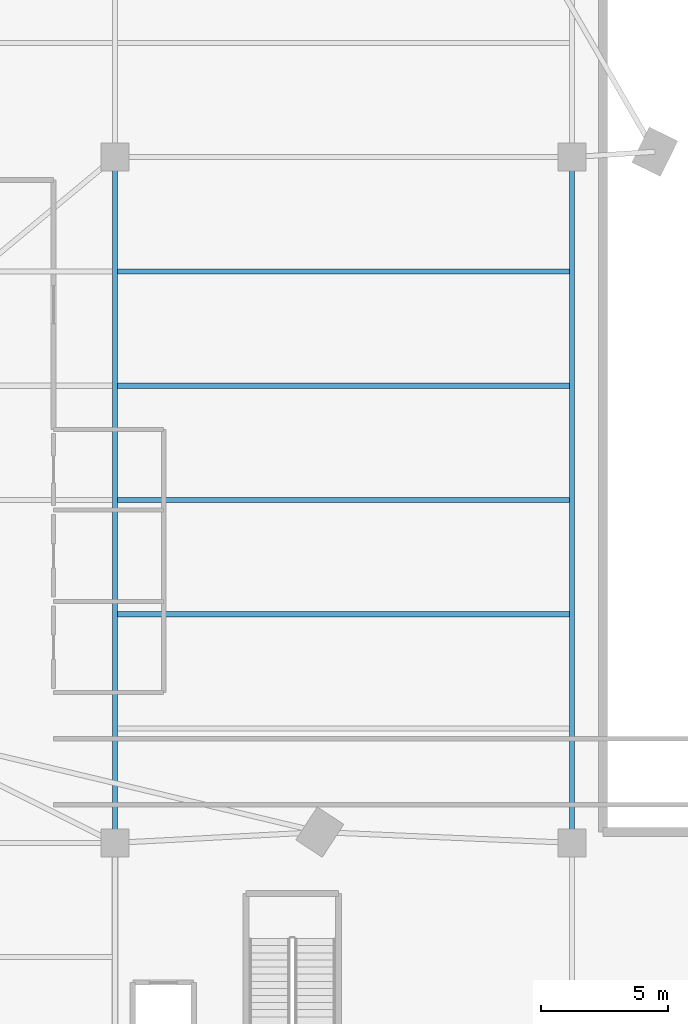
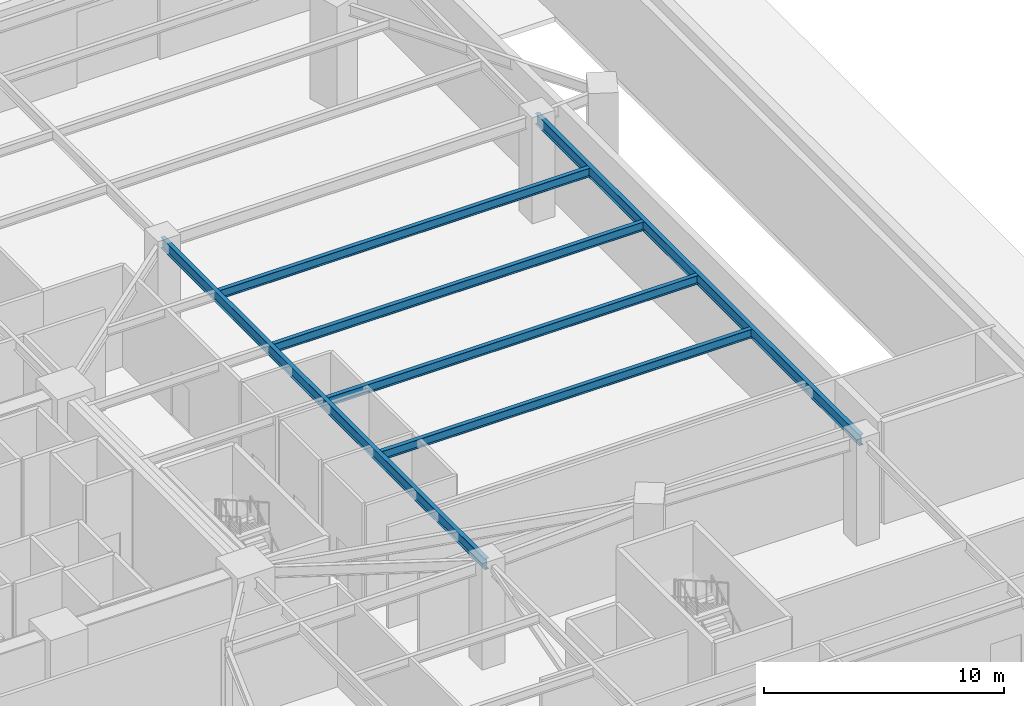
# One storey, part 12 of 30: 6 beams.
"""IFC4 building model written with IfcOpenShell, lengths in metres."""

from ifc_helpers import new_model, si_unit, direction, frame, origin, origin_2d, place, context, subcontext, project, spatial, i_section, extrude, source, transform, mapped, material, material_profile, profile_set, type_object, element, save


model = new_model("IFC4")

# Units and contexts
model_context = context("Model", 3, precision=1e-05, world=origin(), true_north=direction((0.0, 1.0)))
body_context = subcontext(model_context, "Body", "Model", "MODEL_VIEW")
ifc_project = project(units=[si_unit("LENGTHUNIT", "METRE"), si_unit("AREAUNIT", "SQUARE_METRE"), si_unit("VOLUMEUNIT", "CUBIC_METRE"), si_unit("PLANEANGLEUNIT", "RADIAN"), si_unit("MASSUNIT", "GRAM", prefix="KILO")], contexts=[model_context])

# Site, building, storey
site_placement = place(None, origin())
site = spatial("IfcSite", under=ifc_project, at=site_placement, CompositionType="ELEMENT")
building_placement = place(site_placement, origin())
building = spatial("IfcBuilding", under=site, at=building_placement, Name="Liaohun Quay Tower", CompositionType="ELEMENT")
storey_placement = place(building_placement, origin())
storey = spatial("IfcBuildingStorey", under=building, at=storey_placement, Name="L01", CompositionType="ELEMENT", Elevation=0.0)

# Beams
ifc_material = material(Name="Steel Q355D", Category="steel")
ifc_material_profile_1 = material_profile(ifc_material, i_section(OverallWidth=0.199951171875, OverallDepth=0.449951171875, WebThickness=0.009033203125, FlangeThickness=0.013916015625, at=origin_2d()), Name="HN450x200x9x14")
ifc_profile_set_1 = profile_set([ifc_material_profile_1], Name="Steel Q355D")
beam_type_1 = type_object("IfcBeamType", Name="BM-SEC-J1", PredefinedType="JOIST", material=ifc_profile_set_1)
shared_shape_1 = source(origin(), body_context, "Body", "SweptSolid", [
    extrude(i_section(OverallWidth=0.199951171875, OverallDepth=0.449951171875, WebThickness=0.009033203125, FlangeThickness=0.013916015625, at=origin_2d()), origin(), (0.0, 0.0, 1.0), 17.7998046875),
])
for number, where, z_axis, x_axis, name in (
    (1, (78.10009765625, 51.0, 4.925048828125), (1.0, 0.0, 0.0), (0.0, 1.0, 0.0), "L01 Composite Floor Joist SJ-38"),
    (2, (78.10009765625, 55.5, 4.925048828125), (1.0, 0.0, 0.0), (0.0, 1.0, 0.0), "L01 Composite Floor Joist SJ-39"),
    (3, (78.10009765625, 60.0, 4.925048828125), (1.0, 0.0, 0.0), (0.0, 1.0, 0.0), "L01 Composite Floor Joist SJ-40"),
    (4, (78.10009765625, 64.5, 4.925048828125), (1.0, 0.0, 0.0), (0.0, 1.0, 0.0), "L01 Composite Floor Joist SJ-41"),
):
    element("IfcBeam", number, at=place(storey_placement, frame(where, z_axis=z_axis, x_axis=x_axis)), inside=storey, type_object=beam_type_1, Name=name, PredefinedType="JOIST", context=body_context, shape_type="MappedRepresentation", body=[
        mapped(shared_shape_1, transform((0.0, 0.0, 0.0), x_axis=(1.0, 0.0, 0.0), y_axis=(0.0, 1.0, 0.0), z_axis=(0.0, 0.0, 1.0), scale=1.0)),
    ])
ifc_material_profile_2 = material_profile(ifc_material, i_section(OverallWidth=0.199951171875, OverallDepth=0.550048828125, WebThickness=0.010009765625, FlangeThickness=0.01611328125, at=origin_2d()), Name="HN550x200x10x16")
ifc_profile_set_2 = profile_set([ifc_material_profile_2], Name="Steel Q355D")
beam_type_2 = type_object("IfcBeamType", Name="BM-POD-G2", PredefinedType="BEAM", material=ifc_profile_set_2)
shared_shape_2 = source(origin(), body_context, "Body", "SweptSolid", [
    extrude(i_section(OverallWidth=0.199951171875, OverallDepth=0.550048828125, WebThickness=0.010009765625, FlangeThickness=0.01611328125, at=origin_2d()), origin(), (0.0, 0.0, 1.0), 27.0),
])
for number, where, z_axis, x_axis, name in (
    (5, (78.0, 42.0, 4.875), (0.0, 1.0, 0.0), (-1.0, 0.0, 0.0), "L01 Primary Grid Girder PG08-PG12"),
    (6, (96.0, 42.0, 4.875), (0.0, 1.0, 0.0), (-1.0, 0.0, 0.0), "L01 Primary Grid Girder PG09-PG13"),
):
    element("IfcBeam", number, at=place(storey_placement, frame(where, z_axis=z_axis, x_axis=x_axis)), inside=storey, type_object=beam_type_2, Name=name, PredefinedType="BEAM", context=body_context, shape_type="MappedRepresentation", body=[
        mapped(shared_shape_2, transform((0.0, 0.0, 0.0), x_axis=(1.0, 0.0, 0.0), y_axis=(0.0, 1.0, 0.0), z_axis=(0.0, 0.0, 1.0), scale=1.0)),
    ])

save(model, "model.ifc")
